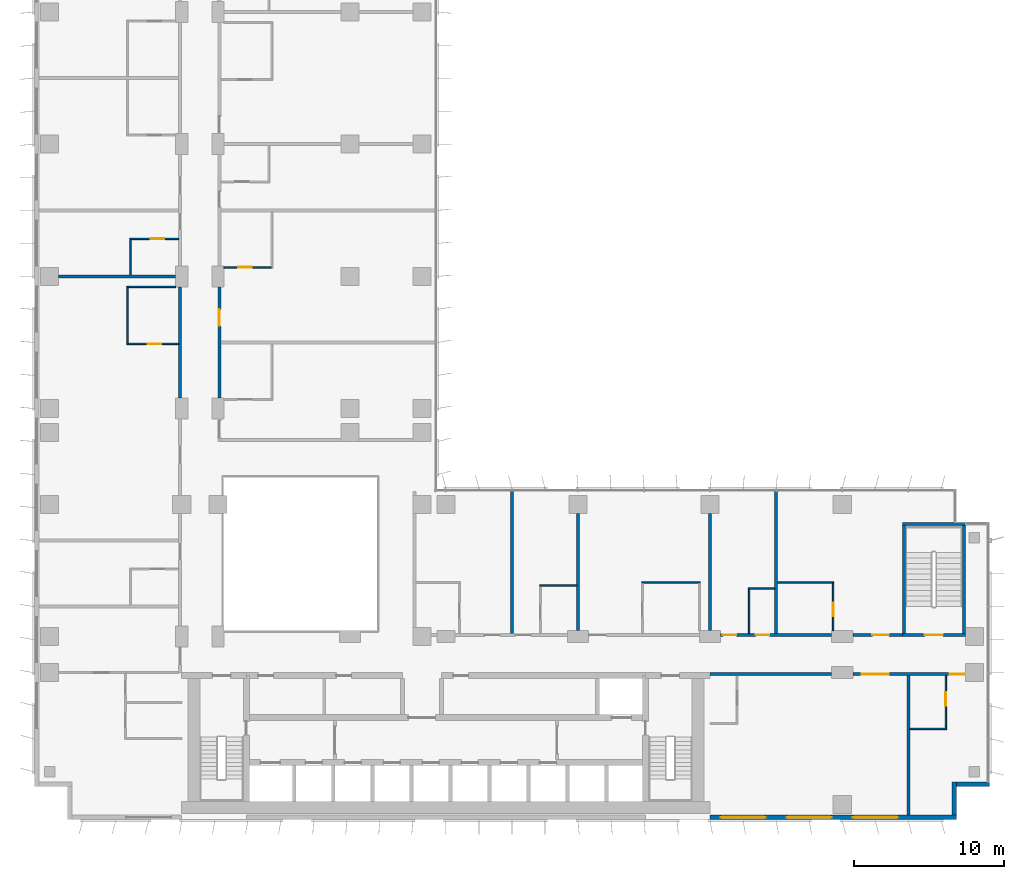
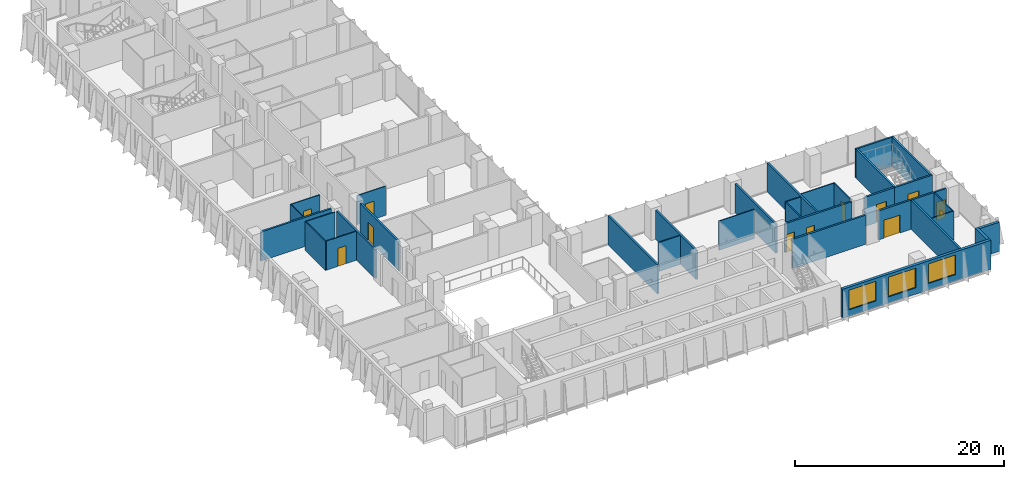
# One storey, part 14 of 22: 33 walls, 12 doors, 3 windows, 15 openings.
"""IFC4 building model written with IfcOpenShell, lengths in metres."""

from ifc_helpers import new_model, si_unit, direction, frame, frame_2d, origin, place, context, subcontext, project, spatial, rectangle, extrude, material, layer, layer_set, type_object, element, fill, save


model = new_model("IFC4")

# Units and contexts
model_context = context("Model", 3, precision=1e-05, world=origin(), true_north=direction((0.0, 1.0)))
body_context = subcontext(model_context, "Body", "Model", "MODEL_VIEW")
ifc_project = project(units=[si_unit("LENGTHUNIT", "METRE"), si_unit("AREAUNIT", "SQUARE_METRE"), si_unit("VOLUMEUNIT", "CUBIC_METRE"), si_unit("PLANEANGLEUNIT", "RADIAN"), si_unit("MASSUNIT", "GRAM", prefix="KILO")], contexts=[model_context])

# Site, building, storey
site_placement = place(None, origin())
site = spatial("IfcSite", under=ifc_project, at=site_placement, CompositionType="ELEMENT")
building_placement = place(site_placement, origin())
building = spatial("IfcBuilding", under=site, at=building_placement, Name="Kemantara Hotel Tower", CompositionType="ELEMENT")
storey_placement = place(building_placement, frame((0.0, 0.0, 90.800048828125)))
storey = spatial("IfcBuildingStorey", under=building, at=storey_placement, Name="L21", CompositionType="ELEMENT", Elevation=90.800048828125)

# Wall, openings, windows
ifc_material_1 = material(Name="Bronze anodised aluminium cladding on insulated steel stud wall", Category="steel")
ifc_layer_1 = layer(ifc_material_1, 0.300048828125)
ifc_layer_set_1 = layer_set([ifc_layer_1], Name="Bronze anodised aluminium cladding on insulated steel stud wall")
wall_type_1 = type_object("IfcWallType", Name="BRONZE METAL-CLAD EXTERNAL WALL 300", PredefinedType="STANDARD", material=ifc_layer_set_1)
wall_1_placement = place(storey_placement, frame((45.0, 0.14990234375, 0.0), z_axis=(0.0, 0.0, 1.0), x_axis=(1.0, 0.0, 0.0)))
wall_1 = element("IfcWall", 1, at=wall_1_placement, inside=storey, type_object=wall_type_1, Name="EXTERNAL WALL L21 T2-R07-3", PredefinedType="STANDARD", context=body_context, shape_type="SweptSolid", body=[
    extrude(rectangle(XDim=16.39990234375, YDim=0.300048828125, at=frame_2d((8.199951171875, 0.0))), origin(), (0.0, 0.0, 1.0), 3.39990234375),
])
opening_1_placement = place(wall_1_placement, frame((0.699951171875, 0.0, 0.75)))
opening_1 = element("IfcOpeningElement", 2, at=opening_1_placement, cuts=wall_1, Name="Opening W1", PredefinedType="OPENING", context=body_context, shape_type="SweptSolid", body=[
    extrude(rectangle(XDim=3.0, YDim=2.300048828125, at=frame_2d((1.5, 1.14990234375))), frame((0.0, 0.159912109375, 0.0), z_axis=(0.0, -1.0, 0.0), x_axis=(1.0, 0.0, 0.0)), (0.0, 0.0, 1.0), 0.320068359375),
])
opening_2_placement = place(wall_1_placement, frame((5.10009765625, 0.0, 0.75)))
opening_2 = element("IfcOpeningElement", 3, at=opening_2_placement, cuts=wall_1, Name="Opening W1", PredefinedType="OPENING", context=body_context, shape_type="SweptSolid", body=[
    extrude(rectangle(XDim=3.0, YDim=2.300048828125, at=frame_2d((1.5, 1.14990234375))), frame((0.0, 0.159912109375, 0.0), z_axis=(0.0, -1.0, 0.0), x_axis=(1.0, 0.0, 0.0)), (0.0, 0.0, 1.0), 0.320068359375),
])
opening_3_placement = place(wall_1_placement, frame((9.5, 0.0, 0.75)))
opening_3 = element("IfcOpeningElement", 4, at=opening_3_placement, cuts=wall_1, Name="Opening W1", PredefinedType="OPENING", context=body_context, shape_type="SweptSolid", body=[
    extrude(rectangle(XDim=3.0, YDim=2.300048828125, at=frame_2d((1.5, 1.14990234375))), frame((0.0, 0.159912109375, 0.0), z_axis=(0.0, -1.0, 0.0), x_axis=(1.0, 0.0, 0.0)), (0.0, 0.0, 1.0), 0.320068359375),
])
ifc_material_2 = material(Name="Low-E tinted double insulated glass in bronze anodised aluminium frame", Category="aluminium")
window_type = type_object("IfcWindowType", Name="CHICAGO WINDOW, TRIPLE PANEL 3000x2300", PartitioningType="TRIPLE_PANEL_VERTICAL", PredefinedType="WINDOW", material=ifc_material_2)
window_1_placement = place(opening_1_placement, origin())
window_1 = element("IfcWindow", 5, at=window_1_placement, inside=storey, type_object=window_type, Name="CHICAGO WINDOW L21 T2-R07-450", OverallHeight=2.300048828125, OverallWidth=3.0, PartitioningType="SINGLE_PANEL", PredefinedType="WINDOW", context=body_context, shape_type="SweptSolid", body=[
    extrude(rectangle(XDim=3.0, YDim=2.300048828125, at=frame_2d((1.5, 1.14990234375))), frame((0.0, 0.030029296875, 0.0), z_axis=(0.0, -1.0, 0.0), x_axis=(1.0, 0.0, 0.0)), (0.0, 0.0, 1.0), 0.06005859375),
])
fill(opening_1, window_1)
window_2_placement = place(opening_2_placement, origin())
window_2 = element("IfcWindow", 6, at=window_2_placement, inside=storey, type_object=window_type, Name="CHICAGO WINDOW L21 T2-R07-494", OverallHeight=2.300048828125, OverallWidth=3.0, PartitioningType="SINGLE_PANEL", PredefinedType="WINDOW", context=body_context, shape_type="SweptSolid", body=[
    extrude(rectangle(XDim=3.0, YDim=2.300048828125, at=frame_2d((1.5, 1.14990234375))), frame((0.0, 0.030029296875, 0.0), z_axis=(0.0, -1.0, 0.0), x_axis=(1.0, 0.0, 0.0)), (0.0, 0.0, 1.0), 0.06005859375),
])
fill(opening_2, window_2)
window_3_placement = place(opening_3_placement, origin())
window_3 = element("IfcWindow", 7, at=window_3_placement, inside=storey, type_object=window_type, Name="CHICAGO WINDOW L21 T2-R07-538", OverallHeight=2.300048828125, OverallWidth=3.0, PartitioningType="SINGLE_PANEL", PredefinedType="WINDOW", context=body_context, shape_type="SweptSolid", body=[
    extrude(rectangle(XDim=3.0, YDim=2.300048828125, at=frame_2d((1.5, 1.14990234375))), frame((0.0, 0.030029296875, 0.0), z_axis=(0.0, -1.0, 0.0), x_axis=(1.0, 0.0, 0.0)), (0.0, 0.0, 1.0), 0.06005859375),
])
fill(opening_3, window_3)

# Walls
wall_2_placement = place(storey_placement, frame((61.25, 0.300048828125, 0.0), z_axis=(0.0, 0.0, 1.0), x_axis=(0.0, 1.0, 0.0)))
element("IfcWall", 8, at=wall_2_placement, inside=storey, type_object=wall_type_1, Name="EXTERNAL WALL L21 T2-R08", PredefinedType="STANDARD", context=body_context, shape_type="SweptSolid", body=[
    extrude(rectangle(XDim=2.199951171875, YDim=0.300048828125, at=frame_2d((1.10009765625, 0.0))), origin(), (0.0, 0.0, 1.0), 3.39990234375),
])
wall_3_placement = place(storey_placement, frame((61.39990234375, 2.35009765625, 0.0), z_axis=(0.0, 0.0, 1.0), x_axis=(1.0, 0.0, 0.0)))
element("IfcWall", 9, at=wall_3_placement, inside=storey, type_object=wall_type_1, Name="EXTERNAL WALL L21 T2-R09", PredefinedType="STANDARD", context=body_context, shape_type="SweptSolid", body=[
    extrude(rectangle(XDim=2.2001953125, YDim=0.300048828125, at=frame_2d((1.10009765625, 0.0))), origin(), (0.0, 0.0, 1.0), 3.39990234375),
])
ifc_material_3 = material(Name="Gypsum board partition, steel studs and mineral wool, 200 mm", Category="steel")
ifc_layer_2 = layer(ifc_material_3, 0.199951171875)
ifc_layer_set_2 = layer_set([ifc_layer_2], Name="Gypsum board partition, steel studs and mineral wool, 200 mm")
wall_type_2 = type_object("IfcWallType", Name="CORRIDOR WALL 200", PredefinedType="PARTITIONING", material=ifc_layer_set_2)
wall_4_placement = place(storey_placement, frame((45.0, 9.699951171875, 0.0), z_axis=(0.0, 0.0, 1.0), x_axis=(1.0, 0.0, 0.0)))
element("IfcWall", 10, at=wall_4_placement, inside=storey, type_object=wall_type_2, Name="CORRIDOR WALL 200 001", PredefinedType="PARTITIONING", context=body_context, shape_type="SweptSolid", body=[
    extrude(rectangle(XDim=8.099853515625, YDim=0.199951171875, at=frame_2d((4.0498046875, 0.0))), origin(), (0.0, 0.0, 1.0), 3.39990234375),
])

# Wall, openings, doors
wall_5_placement = place(storey_placement, frame((62.0, 9.699951171875, 0.0), z_axis=(0.0, 0.0, 1.0), x_axis=(-1.0, 0.0, 0.0)))
wall_5 = element("IfcWall", 11, at=wall_5_placement, inside=storey, type_object=wall_type_2, Name="CORRIDOR WALL 200 002", PredefinedType="PARTITIONING", context=body_context, shape_type="SweptSolid", body=[
    extrude(rectangle(XDim=7.5, YDim=0.199951171875, at=frame_2d((3.75, 0.0))), origin(), (0.0, 0.0, 1.0), 3.39990234375),
])
opening_4_placement = place(wall_5_placement, frame((5.099853515625, 0.0, 0.0)))
opening_4 = element("IfcOpeningElement", 12, at=opening_4_placement, cuts=wall_5, Name="Opening F08-001", PredefinedType="OPENING", context=body_context, shape_type="SweptSolid", body=[
    extrude(rectangle(XDim=1.800048828125, YDim=2.10009765625, at=frame_2d((0.89990234375, 1.050048828125))), frame((0.0, 0.10986328125, 0.0), z_axis=(0.0, -1.0, 0.0), x_axis=(1.0, 0.0, 0.0)), (0.0, 0.0, 1.0), 0.219970703125),
])
opening_5_placement = place(wall_5_placement, frame((0.0498046875, 0.0, 0.0)))
opening_5 = element("IfcOpeningElement", 13, at=opening_5_placement, cuts=wall_5, Name="Opening F08-003", PredefinedType="OPENING", context=body_context, shape_type="SweptSolid", body=[
    extrude(rectangle(XDim=1.0, YDim=2.10009765625, at=frame_2d((0.5, 1.050048828125))), frame((0.0, 0.10986328125, 0.0), z_axis=(0.0, -1.0, 0.0), x_axis=(1.0, 0.0, 0.0)), (0.0, 0.0, 1.0), 0.219970703125),
])
ifc_material_4 = material(Name="Hardwood veneer door leaf with steel frame", Category="steel")
door_type_1 = type_object("IfcDoorType", Name="AMENITY ROOM DOOR 1800 X 2100 FD30S", OperationType="NOTDEFINED", PredefinedType="DOOR", material=ifc_material_4)
door_1_placement = place(opening_4_placement, origin())
door_1 = element("IfcDoor", 14, at=door_1_placement, inside=storey, type_object=door_type_1, Name="AMENITY ROOM DOOR F08-001", OperationType="DOUBLE_DOOR_SINGLE_SWING", OverallHeight=2.10009765625, OverallWidth=1.800048828125, PredefinedType="DOOR", context=body_context, shape_type="SweptSolid", body=[
    extrude(rectangle(XDim=1.800048828125, YDim=2.10009765625, at=frame_2d((0.89990234375, 1.050048828125))), frame((0.0, 0.02490234375, 0.0), z_axis=(0.0, -1.0, 0.0), x_axis=(1.0, 0.0, 0.0)), (0.0, 0.0, 1.0), 0.050048828125),
])
fill(opening_4, door_1)
door_type_2 = type_object("IfcDoorType", Name="GUEST ROOM DOOR 1000 X 2100 FD30S", OperationType="NOTDEFINED", PredefinedType="DOOR", material=ifc_material_4)
door_2_placement = place(opening_5_placement, origin())
door_2 = element("IfcDoor", 15, at=door_2_placement, inside=storey, type_object=door_type_2, Name="GUEST ROOM DOOR F08-003", OperationType="SINGLE_SWING_LEFT", OverallHeight=2.10009765625, OverallWidth=1.0, PredefinedType="DOOR", context=body_context, shape_type="SweptSolid", body=[
    extrude(rectangle(XDim=1.0, YDim=2.10009765625, at=frame_2d((0.5, 1.050048828125))), frame((0.0, 0.02490234375, 0.0), z_axis=(0.0, -1.0, 0.0), x_axis=(1.0, 0.0, 0.0)), (0.0, 0.0, 1.0), 0.050048828125),
])
fill(opening_5, door_2)

wall_6_placement = place(storey_placement, frame((45.7001953125, 12.300048828125, 0.0), z_axis=(0.0, 0.0, 1.0), x_axis=(1.0, 0.0, 0.0)))
wall_6 = element("IfcWall", 16, at=wall_6_placement, inside=storey, type_object=wall_type_2, Name="CORRIDOR WALL 200 007", PredefinedType="PARTITIONING", context=body_context, shape_type="SweptSolid", body=[
    extrude(rectangle(XDim=7.399658203125, YDim=0.199951171875, at=frame_2d((3.69970703125, 0.0))), origin(), (0.0, 0.0, 1.0), 3.39990234375),
])
opening_6_placement = place(wall_6_placement, frame((0.14990234375, 0.0, 0.0)))
opening_6 = element("IfcOpeningElement", 17, at=opening_6_placement, cuts=wall_6, Name="Opening F08-011", PredefinedType="OPENING", context=body_context, shape_type="SweptSolid", body=[
    extrude(rectangle(XDim=0.89990234375, YDim=2.10009765625, at=frame_2d((0.449951171875, 1.050048828125))), frame((0.0, 0.10986328125, 0.0), z_axis=(0.0, -1.0, 0.0), x_axis=(1.0, 0.0, 0.0)), (0.0, 0.0, 1.0), 0.219970703125),
])
opening_7_placement = place(wall_6_placement, frame((2.349853515625, 0.0, 0.0)))
opening_7 = element("IfcOpeningElement", 18, at=opening_7_placement, cuts=wall_6, Name="Opening F08-012", PredefinedType="OPENING", context=body_context, shape_type="SweptSolid", body=[
    extrude(rectangle(XDim=0.89990234375, YDim=2.10009765625, at=frame_2d((0.449951171875, 1.050048828125))), frame((0.0, 0.10986328125, 0.0), z_axis=(0.0, -1.0, 0.0), x_axis=(1.0, 0.0, 0.0)), (0.0, 0.0, 1.0), 0.219970703125),
])
ifc_material_5 = material(Name="Steel door leaf with steel frame", Category="steel")
door_type_3 = type_object("IfcDoorType", Name="SERVICE ROOM DOOR 900 X 2100 FD60", OperationType="NOTDEFINED", PredefinedType="DOOR", material=ifc_material_5)
door_3_placement = place(opening_6_placement, origin())
door_3 = element("IfcDoor", 19, at=door_3_placement, inside=storey, type_object=door_type_3, Name="SERVICE ROOM DOOR F08-011", OperationType="SINGLE_SWING_LEFT", OverallHeight=2.10009765625, OverallWidth=0.89990234375, PredefinedType="DOOR", context=body_context, shape_type="SweptSolid", body=[
    extrude(rectangle(XDim=0.89990234375, YDim=2.10009765625, at=frame_2d((0.449951171875, 1.050048828125))), frame((0.0, 0.02490234375, 0.0), z_axis=(0.0, -1.0, 0.0), x_axis=(1.0, 0.0, 0.0)), (0.0, 0.0, 1.0), 0.050048828125),
])
fill(opening_6, door_3)
door_4_placement = place(opening_7_placement, origin())
door_4 = element("IfcDoor", 20, at=door_4_placement, inside=storey, type_object=door_type_3, Name="SERVICE ROOM DOOR F08-012", OperationType="SINGLE_SWING_RIGHT", OverallHeight=2.10009765625, OverallWidth=0.89990234375, PredefinedType="DOOR", context=body_context, shape_type="SweptSolid", body=[
    extrude(rectangle(XDim=0.89990234375, YDim=2.10009765625, at=frame_2d((0.449951171875, 1.050048828125))), frame((0.0, 0.02490234375, 0.0), z_axis=(0.0, -1.0, 0.0), x_axis=(1.0, 0.0, 0.0)), (0.0, 0.0, 1.0), 0.050048828125),
])
fill(opening_7, door_4)

# Wall, opening, door
wall_7_placement = place(storey_placement, frame((54.5, 12.300048828125, 0.0), z_axis=(0.0, 0.0, 1.0), x_axis=(1.0, 0.0, 0.0)))
wall_7 = element("IfcWall", 21, at=wall_7_placement, inside=storey, type_object=wall_type_2, Name="CORRIDOR WALL 200 008", PredefinedType="PARTITIONING", context=body_context, shape_type="SweptSolid", body=[
    extrude(rectangle(XDim=3.300048828125, YDim=0.199951171875, at=frame_2d((1.64990234375, 0.0))), origin(), (0.0, 0.0, 1.0), 3.39990234375),
])
opening_8_placement = place(wall_7_placement, frame((1.2998046875, 0.0, 0.0)))
opening_8 = element("IfcOpeningElement", 22, at=opening_8_placement, cuts=wall_7, Name="Opening F08-013", PredefinedType="OPENING", context=body_context, shape_type="SweptSolid", body=[
    extrude(rectangle(XDim=1.10009765625, YDim=2.10009765625, at=frame_2d((0.550048828125, 1.050048828125))), frame((0.0, 0.10986328125, 0.0), z_axis=(0.0, -1.0, 0.0), x_axis=(1.0, 0.0, 0.0)), (0.0, 0.0, 1.0), 0.219970703125),
])
door_type_4 = type_object("IfcDoorType", Name="SUITE ENTRANCE DOOR 1100 X 2100 FD30S", OperationType="NOTDEFINED", PredefinedType="DOOR", material=ifc_material_4)
door_5_placement = place(opening_8_placement, origin())
door_5 = element("IfcDoor", 23, at=door_5_placement, inside=storey, type_object=door_type_4, Name="SUITE ENTRANCE DOOR F08-013", OperationType="SINGLE_SWING_RIGHT", OverallHeight=2.10009765625, OverallWidth=1.10009765625, PredefinedType="DOOR", context=body_context, shape_type="SweptSolid", body=[
    extrude(rectangle(XDim=1.10009765625, YDim=2.10009765625, at=frame_2d((0.550048828125, 1.050048828125))), frame((0.0, 0.02490234375, 0.0), z_axis=(0.0, -1.0, 0.0), x_axis=(1.0, 0.0, 0.0)), (0.0, 0.0, 1.0), 0.050048828125),
])
fill(opening_8, door_5)

# Wall
wall_8_placement = place(storey_placement, frame((9.699951171875, 28.10009765625, 0.0), z_axis=(0.0, 0.0, 1.0), x_axis=(0.0, 1.0, 0.0)))
element("IfcWall", 24, at=wall_8_placement, inside=storey, type_object=wall_type_2, Name="CORRIDOR WALL 200 018", PredefinedType="PARTITIONING", context=body_context, shape_type="SweptSolid", body=[
    extrude(rectangle(XDim=7.39990234375, YDim=0.199951171875, at=frame_2d((3.699951171875, 0.0))), origin(), (0.0, 0.0, 1.0), 3.39990234375),
])

# Wall, opening, door
wall_9_placement = place(storey_placement, frame((12.300048828125, 35.5, 0.0), z_axis=(0.0, 0.0, 1.0), x_axis=(0.0, -1.0, 0.0)))
wall_9 = element("IfcWall", 25, at=wall_9_placement, inside=storey, type_object=wall_type_2, Name="CORRIDOR WALL 200 031", PredefinedType="PARTITIONING", context=body_context, shape_type="SweptSolid", body=[
    extrude(rectangle(XDim=7.39990234375, YDim=0.199951171875, at=frame_2d((3.699951171875, 0.0))), origin(), (0.0, 0.0, 1.0), 3.39990234375),
])
opening_9_placement = place(wall_9_placement, frame((1.5, 0.0, 0.0)))
opening_9 = element("IfcOpeningElement", 26, at=opening_9_placement, cuts=wall_9, Name="Opening F08-035", PredefinedType="OPENING", context=body_context, shape_type="SweptSolid", body=[
    extrude(rectangle(XDim=1.10009765625, YDim=2.10009765625, at=frame_2d((0.550048828125, 1.050048828125))), frame((0.0, 0.10986328125, 0.0), z_axis=(0.0, -1.0, 0.0), x_axis=(1.0, 0.0, 0.0)), (0.0, 0.0, 1.0), 0.219970703125),
])
door_6_placement = place(opening_9_placement, origin())
door_6 = element("IfcDoor", 27, at=door_6_placement, inside=storey, type_object=door_type_4, Name="SUITE ENTRANCE DOOR F08-035", OperationType="SINGLE_SWING_RIGHT", OverallHeight=2.10009765625, OverallWidth=1.10009765625, PredefinedType="DOOR", context=body_context, shape_type="SweptSolid", body=[
    extrude(rectangle(XDim=1.10009765625, YDim=2.10009765625, at=frame_2d((0.550048828125, 1.050048828125))), frame((0.0, 0.02490234375, 0.0), z_axis=(0.0, -1.0, 0.0), x_axis=(1.0, 0.0, 0.0)), (0.0, 0.0, 1.0), 0.050048828125),
])
fill(opening_9, door_6)

ifc_material_6 = material(Name="Concrete fc 40 MPa", Category="concrete")
ifc_layer_3 = layer(ifc_material_6, 0.199951171875)
ifc_layer_set_3 = layer_set([ifc_layer_3], Name="Concrete fc 40 MPa")
wall_type_3 = type_object("IfcWallType", Name="Concrete stair wall 200 mm", PredefinedType="SHEAR", material=ifc_layer_set_3)
wall_10_placement = place(storey_placement, frame((57.800048828125, 12.300048828125, 0.0), z_axis=(0.0, 0.0, 1.0), x_axis=(1.0, 0.0, 0.0)))
wall_10 = element("IfcWall", 28, at=wall_10_placement, inside=storey, type_object=wall_type_3, Name="Stair ST3 enclosure wall with door", PredefinedType="SHEAR", context=body_context, shape_type="SweptSolid", body=[
    extrude(rectangle(XDim=4.199951171875, YDim=0.199951171875, at=frame_2d((2.10009765625, 0.0))), origin(), (0.0, 0.0, 1.0), 3.39990234375),
])
opening_10_placement = place(wall_10_placement, frame((1.5, 0.0, 0.0)))
opening_10 = element("IfcOpeningElement", 29, at=opening_10_placement, cuts=wall_10, Name="Opening ST3-C", PredefinedType="OPENING", context=body_context, shape_type="SweptSolid", body=[
    extrude(rectangle(XDim=1.199951171875, YDim=2.10009765625, at=frame_2d((0.60009765625, 1.050048828125))), frame((0.0, 0.10986328125, 0.0), z_axis=(0.0, -1.0, 0.0), x_axis=(1.0, 0.0, 0.0)), (0.0, 0.0, 1.0), 0.219970703125),
])
ifc_material_7 = material(Name="Steel fire door", Category="steel")
door_type_5 = type_object("IfcDoorType", Name="Fire door FD90 1200 x 2100", OperationType="NOTDEFINED", PredefinedType="DOOR", material=ifc_material_7)
door_7_placement = place(opening_10_placement, origin())
door_7 = element("IfcDoor", 30, at=door_7_placement, inside=storey, type_object=door_type_5, Name="Stair ST3 door", OperationType="SINGLE_SWING_RIGHT", OverallHeight=2.10009765625, OverallWidth=1.199951171875, PredefinedType="DOOR", context=body_context, shape_type="SweptSolid", body=[
    extrude(rectangle(XDim=1.199951171875, YDim=2.10009765625, at=frame_2d((0.60009765625, 1.050048828125))), frame((0.0, 0.02490234375, 0.0), z_axis=(0.0, -1.0, 0.0), x_axis=(1.0, 0.0, 0.0)), (0.0, 0.0, 1.0), 0.050048828125),
])
fill(opening_10, door_7)

# Walls
wall_11_placement = place(storey_placement, frame((57.800048828125, 19.699951171875, 0.0), z_axis=(0.0, 0.0, 1.0), x_axis=(1.0, 0.0, 0.0)))
element("IfcWall", 31, at=wall_11_placement, inside=storey, type_object=wall_type_3, Name="Stair ST3 enclosure wall N", PredefinedType="SHEAR", context=body_context, shape_type="SweptSolid", body=[
    extrude(rectangle(XDim=4.199951171875, YDim=0.199951171875, at=frame_2d((2.10009765625, 0.0))), origin(), (0.0, 0.0, 1.0), 3.39990234375),
])
for number, where, z_axis, x_axis, name in (
    (32, (57.89990234375, 12.39990234375, 0.0), (0.0, 0.0, 1.0), (0.0, 1.0, 0.0), "Stair ST3 enclosure wall W"),
    (33, (61.89990234375, 12.39990234375, 0.0), (0.0, 0.0, 1.0), (0.0, 1.0, 0.0), "Stair ST3 enclosure wall E"),
):
    element("IfcWall", number, at=place(storey_placement, frame(where, z_axis=z_axis, x_axis=x_axis)), inside=storey, type_object=wall_type_3, Name=name, PredefinedType="SHEAR", context=body_context, shape_type="SweptSolid", body=[
        extrude(rectangle(XDim=7.2001953125, YDim=0.199951171875, at=frame_2d((3.60009765625, 0.0))), origin(), (0.0, 0.0, 1.0), 3.39990234375),
    ])
ifc_layer_4 = layer(ifc_material_3, 0.199951171875)
ifc_layer_set_4 = layer_set([ifc_layer_4], Name="Gypsum board partition, steel studs and mineral wool, 200 mm")
wall_type_4 = type_object("IfcWallType", Name="GUEST ROOM PARTY WALL 200", PredefinedType="PARTITIONING", material=ifc_layer_set_4)
wall_12_placement = place(storey_placement, frame((58.199951171875, 0.31005859375, 0.0), z_axis=(0.0, 0.0, 1.0), x_axis=(0.0, 1.0, 0.0)))
element("IfcWall", 34, at=wall_12_placement, inside=storey, type_object=wall_type_4, Name="GUEST ROOM PARTY WALL 200 003", PredefinedType="PARTITIONING", context=body_context, shape_type="SweptSolid", body=[
    extrude(rectangle(XDim=9.2900390625, YDim=0.199951171875, at=frame_2d((4.64501953125, 0.0))), origin(), (0.0, 0.0, 1.0), 3.39990234375),
])
wall_13_placement = place(storey_placement, frame((31.800048828125, 12.39990234375, 0.0), z_axis=(0.0, 0.0, 1.0), x_axis=(0.0, 1.0, 0.0)))
element("IfcWall", 35, at=wall_13_placement, inside=storey, type_object=wall_type_4, Name="GUEST ROOM PARTY WALL 200 011", PredefinedType="PARTITIONING", context=body_context, shape_type="SweptSolid", body=[
    extrude(rectangle(XDim=9.47021484375, YDim=0.199951171875, at=frame_2d((4.735107421875, 0.0))), origin(), (0.0, 0.0, 1.0), 3.39990234375),
])
for number, where, z_axis, x_axis, name in (
    (36, (36.199951171875, 12.60009765625, 0.0), (0.0, 0.0, 1.0), (0.0, 1.0, 0.0), "GUEST ROOM PARTY WALL 200 012"),
    (37, (45.0, 12.60009765625, 0.0), (0.0, 0.0, 1.0), (0.0, 1.0, 0.0), "GUEST ROOM PARTY WALL 200 013"),
):
    element("IfcWall", number, at=place(storey_placement, frame(where, z_axis=z_axis, x_axis=x_axis)), inside=storey, type_object=wall_type_4, Name=name, PredefinedType="PARTITIONING", context=body_context, shape_type="SweptSolid", body=[
        extrude(rectangle(XDim=7.7998046875, YDim=0.199951171875, at=frame_2d((3.89990234375, 0.0))), origin(), (0.0, 0.0, 1.0), 3.39990234375),
    ])
wall_14_placement = place(storey_placement, frame((49.39990234375, 12.39990234375, 0.0), z_axis=(0.0, 0.0, 1.0), x_axis=(0.0, 1.0, 0.0)))
element("IfcWall", 38, at=wall_14_placement, inside=storey, type_object=wall_type_4, Name="GUEST ROOM PARTY WALL 200 014", PredefinedType="PARTITIONING", context=body_context, shape_type="SweptSolid", body=[
    extrude(rectangle(XDim=9.47021484375, YDim=0.199951171875, at=frame_2d((4.735107421875, 0.0))), origin(), (0.0, 0.0, 1.0), 3.39990234375),
])
wall_15_placement = place(storey_placement, frame((1.60009765625, 36.199951171875, 0.0), z_axis=(0.0, 0.0, 1.0), x_axis=(1.0, 0.0, 0.0)))
element("IfcWall", 39, at=wall_15_placement, inside=storey, type_object=wall_type_4, Name="GUEST ROOM PARTY WALL 200 026", PredefinedType="PARTITIONING", context=body_context, shape_type="SweptSolid", body=[
    extrude(rectangle(XDim=7.7998046875, YDim=0.199951171875, at=frame_2d((3.89990234375, 0.0))), origin(), (0.0, 0.0, 1.0), 3.39990234375),
])
ifc_material_8 = material(Name="Gypsum board partition on steel studs, 100 mm", Category="steel")
ifc_layer_5 = layer(ifc_material_8, 0.10009765625)
ifc_layer_set_5 = layer_set([ifc_layer_5], Name="Gypsum board partition on steel studs, 100 mm")
wall_type_5 = type_object("IfcWallType", Name="ROOM PARTITION 100", PredefinedType="PARTITIONING", material=ifc_layer_set_5)
wall_16_placement = place(storey_placement, frame((58.300048828125, 6.050048828125, 0.0), z_axis=(0.0, 0.0, 1.0), x_axis=(1.0, 0.0, 0.0)))
element("IfcWall", 40, at=wall_16_placement, inside=storey, type_object=wall_type_5, Name="ROOM PARTITION 100 052", PredefinedType="PARTITIONING", context=body_context, shape_type="SweptSolid", body=[
    extrude(rectangle(XDim=2.449951171875, YDim=0.10009765625, at=frame_2d((1.22509765625, 0.0))), origin(), (0.0, 0.0, 1.0), 3.39990234375),
])

# Wall, opening, door
wall_17_placement = place(storey_placement, frame((60.699951171875, 6.10009765625, 0.0), z_axis=(0.0, 0.0, 1.0), x_axis=(0.0, 1.0, 0.0)))
wall_17 = element("IfcWall", 41, at=wall_17_placement, inside=storey, type_object=wall_type_5, Name="ROOM PARTITION 100 053", PredefinedType="PARTITIONING", context=body_context, shape_type="SweptSolid", body=[
    extrude(rectangle(XDim=3.5, YDim=0.10009765625, at=frame_2d((1.75, 0.0))), origin(), (0.0, 0.0, 1.0), 3.39990234375),
])
opening_11_placement = place(wall_17_placement, frame((1.5, 0.0, 0.0)))
opening_11 = element("IfcOpeningElement", 42, at=opening_11_placement, cuts=wall_17, Name="Opening F08-004", PredefinedType="OPENING", context=body_context, shape_type="SweptSolid", body=[
    extrude(rectangle(XDim=0.89990234375, YDim=2.10009765625, at=frame_2d((0.449951171875, 1.050048828125))), frame((0.0, 0.06005859375, 0.0), z_axis=(0.0, -1.0, 0.0), x_axis=(1.0, 0.0, 0.0)), (0.0, 0.0, 1.0), 0.1201171875),
])
door_type_6 = type_object("IfcDoorType", Name="BATHROOM DOOR 900 X 2100", OperationType="NOTDEFINED", PredefinedType="DOOR", material=ifc_material_4)
door_8_placement = place(opening_11_placement, origin())
door_8 = element("IfcDoor", 43, at=door_8_placement, inside=storey, type_object=door_type_6, Name="BATHROOM DOOR F08-004", OperationType="SINGLE_SWING_RIGHT", OverallHeight=2.10009765625, OverallWidth=0.89990234375, PredefinedType="DOOR", context=body_context, shape_type="SweptSolid", body=[
    extrude(rectangle(XDim=0.89990234375, YDim=2.10009765625, at=frame_2d((0.449951171875, 1.050048828125))), frame((0.0, 0.02490234375, 0.0), z_axis=(0.0, -1.0, 0.0), x_axis=(1.0, 0.0, 0.0)), (0.0, 0.0, 1.0), 0.050048828125),
])
fill(opening_11, door_8)

# Walls
wall_18_placement = place(storey_placement, frame((40.449951171875, 15.800048828125, 0.0), z_axis=(0.0, 0.0, 1.0), x_axis=(1.0, 0.0, 0.0)))
element("IfcWall", 44, at=wall_18_placement, inside=storey, type_object=wall_type_5, Name="ROOM PARTITION 100 055", PredefinedType="PARTITIONING", context=body_context, shape_type="SweptSolid", body=[
    extrude(rectangle(XDim=3.900146484375, YDim=0.10009765625, at=frame_2d((1.9501953125, 0.0))), origin(), (0.0, 0.0, 1.0), 3.39990234375),
])
wall_19_placement = place(storey_placement, frame((49.5, 15.800048828125, 0.0), z_axis=(0.0, 0.0, 1.0), x_axis=(1.0, 0.0, 0.0)))
element("IfcWall", 45, at=wall_19_placement, inside=storey, type_object=wall_type_5, Name="ROOM PARTITION 100 056", PredefinedType="PARTITIONING", context=body_context, shape_type="SweptSolid", body=[
    extrude(rectangle(XDim=3.75, YDim=0.10009765625, at=frame_2d((1.875, 0.0))), origin(), (0.0, 0.0, 1.0), 3.39990234375),
])
wall_20_placement = place(storey_placement, frame((33.64990234375, 15.60009765625, 0.0), z_axis=(0.0, 0.0, 1.0), x_axis=(1.0, 0.0, 0.0)))
element("IfcWall", 46, at=wall_20_placement, inside=storey, type_object=wall_type_5, Name="ROOM PARTITION 100 058", PredefinedType="PARTITIONING", context=body_context, shape_type="SweptSolid", body=[
    extrude(rectangle(XDim=2.4501953125, YDim=0.10009765625, at=frame_2d((1.22509765625, 0.0))), origin(), (0.0, 0.0, 1.0), 3.39990234375),
])
wall_21_placement = place(storey_placement, frame((47.550048828125, 15.39990234375, 0.0), z_axis=(0.0, 0.0, 1.0), x_axis=(1.0, 0.0, 0.0)))
element("IfcWall", 47, at=wall_21_placement, inside=storey, type_object=wall_type_5, Name="ROOM PARTITION 100 062", PredefinedType="PARTITIONING", context=body_context, shape_type="SweptSolid", body=[
    extrude(rectangle(XDim=1.75, YDim=0.10009765625, at=frame_2d((0.875, 0.0))), origin(), (0.0, 0.0, 1.0), 3.39990234375),
])
wall_22_placement = place(storey_placement, frame((47.60009765625, 12.39990234375, 0.0), z_axis=(0.0, 0.0, 1.0), x_axis=(0.0, 1.0, 0.0)))
element("IfcWall", 48, at=wall_22_placement, inside=storey, type_object=wall_type_5, Name="ROOM PARTITION 100 063", PredefinedType="PARTITIONING", context=body_context, shape_type="SweptSolid", body=[
    extrude(rectangle(XDim=2.9501953125, YDim=0.10009765625, at=frame_2d((1.47509765625, 0.0))), origin(), (0.0, 0.0, 1.0), 3.39990234375),
])

# Wall, opening, door
wall_23_placement = place(storey_placement, frame((53.199951171875, 12.60009765625, 0.0), z_axis=(0.0, 0.0, 1.0), x_axis=(0.0, 1.0, 0.0)))
wall_23 = element("IfcWall", 49, at=wall_23_placement, inside=storey, type_object=wall_type_5, Name="ROOM PARTITION 100 064", PredefinedType="PARTITIONING", context=body_context, shape_type="SweptSolid", body=[
    extrude(rectangle(XDim=3.14990234375, YDim=0.10009765625, at=frame_2d((1.574951171875, 0.0))), origin(), (0.0, 0.0, 1.0), 3.39990234375),
])
opening_12_placement = place(wall_23_placement, frame((0.949951171875, 0.0, 0.0)))
opening_12 = element("IfcOpeningElement", 50, at=opening_12_placement, cuts=wall_23, Name="Opening F08-014", PredefinedType="OPENING", context=body_context, shape_type="SweptSolid", body=[
    extrude(rectangle(XDim=0.89990234375, YDim=2.10009765625, at=frame_2d((0.449951171875, 1.050048828125))), frame((0.0, 0.06005859375, 0.0), z_axis=(0.0, -1.0, 0.0), x_axis=(1.0, 0.0, 0.0)), (0.0, 0.0, 1.0), 0.1201171875),
])
door_9_placement = place(opening_12_placement, origin())
door_9 = element("IfcDoor", 51, at=door_9_placement, inside=storey, type_object=door_type_6, Name="BATHROOM DOOR F08-014", OperationType="SINGLE_SWING_LEFT", OverallHeight=2.10009765625, OverallWidth=0.89990234375, PredefinedType="DOOR", context=body_context, shape_type="SweptSolid", body=[
    extrude(rectangle(XDim=0.89990234375, YDim=2.10009765625, at=frame_2d((0.449951171875, 1.050048828125))), frame((0.0, 0.02490234375, 0.0), z_axis=(0.0, -1.0, 0.0), x_axis=(1.0, 0.0, 0.0)), (0.0, 0.0, 1.0), 0.050048828125),
])
fill(opening_12, door_9)

# Walls
wall_24_placement = place(storey_placement, frame((6.39990234375, 36.300048828125, 0.0), z_axis=(0.0, 0.0, 1.0), x_axis=(0.0, 1.0, 0.0)))
element("IfcWall", 52, at=wall_24_placement, inside=storey, type_object=wall_type_5, Name="ROOM PARTITION 100 071", PredefinedType="PARTITIONING", context=body_context, shape_type="SweptSolid", body=[
    extrude(rectangle(XDim=2.449951171875, YDim=0.10009765625, at=frame_2d((1.22509765625, 0.0))), origin(), (0.0, 0.0, 1.0), 3.39990234375),
])
wall_25_placement = place(storey_placement, frame((6.199951171875, 31.64990234375, 0.0), z_axis=(0.0, 0.0, 1.0), x_axis=(0.0, 1.0, 0.0)))
element("IfcWall", 53, at=wall_25_placement, inside=storey, type_object=wall_type_5, Name="ROOM PARTITION 100 073", PredefinedType="PARTITIONING", context=body_context, shape_type="SweptSolid", body=[
    extrude(rectangle(XDim=3.900146484375, YDim=0.10009765625, at=frame_2d((1.9501953125, 0.0))), origin(), (0.0, 0.0, 1.0), 3.39990234375),
])

# Wall, opening, door
wall_26_placement = place(storey_placement, frame((6.25, 31.699951171875, 0.0), z_axis=(0.0, 0.0, 1.0), x_axis=(1.0, 0.0, 0.0)))
wall_26 = element("IfcWall", 54, at=wall_26_placement, inside=storey, type_object=wall_type_5, Name="ROOM PARTITION 100 077", PredefinedType="PARTITIONING", context=body_context, shape_type="SweptSolid", body=[
    extrude(rectangle(XDim=3.35009765625, YDim=0.10009765625, at=frame_2d((1.675048828125, 0.0))), origin(), (0.0, 0.0, 1.0), 3.39990234375),
])
opening_13_placement = place(wall_26_placement, frame((1.300048828125, 0.0, 0.0)))
opening_13 = element("IfcOpeningElement", 55, at=opening_13_placement, cuts=wall_26, Name="Opening F08-022", PredefinedType="OPENING", context=body_context, shape_type="SweptSolid", body=[
    extrude(rectangle(XDim=0.89990234375, YDim=2.10009765625, at=frame_2d((0.449951171875, 1.050048828125))), frame((0.0, 0.06005859375, 0.0), z_axis=(0.0, -1.0, 0.0), x_axis=(1.0, 0.0, 0.0)), (0.0, 0.0, 1.0), 0.1201171875),
])
door_10_placement = place(opening_13_placement, origin())
door_10 = element("IfcDoor", 56, at=door_10_placement, inside=storey, type_object=door_type_6, Name="BATHROOM DOOR F08-022", OperationType="SINGLE_SWING_RIGHT", OverallHeight=2.10009765625, OverallWidth=0.89990234375, PredefinedType="DOOR", context=body_context, shape_type="SweptSolid", body=[
    extrude(rectangle(XDim=0.89990234375, YDim=2.10009765625, at=frame_2d((0.449951171875, 1.050048828125))), frame((0.0, 0.02490234375, 0.0), z_axis=(0.0, -1.0, 0.0), x_axis=(1.0, 0.0, 0.0)), (0.0, 0.0, 1.0), 0.050048828125),
])
fill(opening_13, door_10)

# Wall
wall_27_placement = place(storey_placement, frame((6.25, 35.5, 0.0), z_axis=(0.0, 0.0, 1.0), x_axis=(1.0, 0.0, 0.0)))
element("IfcWall", 57, at=wall_27_placement, inside=storey, type_object=wall_type_5, Name="ROOM PARTITION 100 078", PredefinedType="PARTITIONING", context=body_context, shape_type="SweptSolid", body=[
    extrude(rectangle(XDim=3.14990234375, YDim=0.10009765625, at=frame_2d((1.574951171875, 0.0))), origin(), (0.0, 0.0, 1.0), 3.39990234375),
])

# Wall, opening, door
wall_28_placement = place(storey_placement, frame((9.60009765625, 38.699951171875, 0.0), z_axis=(0.0, 0.0, 1.0), x_axis=(-1.0, 0.0, 0.0)))
wall_28 = element("IfcWall", 58, at=wall_28_placement, inside=storey, type_object=wall_type_5, Name="ROOM PARTITION 100 079", PredefinedType="PARTITIONING", context=body_context, shape_type="SweptSolid", body=[
    extrude(rectangle(XDim=3.150146484375, YDim=0.10009765625, at=frame_2d((1.5751953125, 0.0))), origin(), (0.0, 0.0, 1.0), 3.39990234375),
])
opening_14_placement = place(wall_28_placement, frame((0.949951171875, 0.0, 0.0)))
opening_14 = element("IfcOpeningElement", 59, at=opening_14_placement, cuts=wall_28, Name="Opening F08-024", PredefinedType="OPENING", context=body_context, shape_type="SweptSolid", body=[
    extrude(rectangle(XDim=0.89990234375, YDim=2.10009765625, at=frame_2d((0.449951171875, 1.050048828125))), frame((0.0, 0.06005859375, 0.0), z_axis=(0.0, -1.0, 0.0), x_axis=(1.0, 0.0, 0.0)), (0.0, 0.0, 1.0), 0.1201171875),
])
door_11_placement = place(opening_14_placement, origin())
door_11 = element("IfcDoor", 60, at=door_11_placement, inside=storey, type_object=door_type_6, Name="BATHROOM DOOR F08-024", OperationType="SINGLE_SWING_LEFT", OverallHeight=2.10009765625, OverallWidth=0.89990234375, PredefinedType="DOOR", context=body_context, shape_type="SweptSolid", body=[
    extrude(rectangle(XDim=0.89990234375, YDim=2.10009765625, at=frame_2d((0.449951171875, 1.050048828125))), frame((0.0, 0.02490234375, 0.0), z_axis=(0.0, -1.0, 0.0), x_axis=(1.0, 0.0, 0.0)), (0.0, 0.0, 1.0), 0.050048828125),
])
fill(opening_14, door_11)

wall_29_placement = place(storey_placement, frame((12.60009765625, 36.800048828125, 0.0), z_axis=(0.0, 0.0, 1.0), x_axis=(1.0, 0.0, 0.0)))
wall_29 = element("IfcWall", 61, at=wall_29_placement, inside=storey, type_object=wall_type_5, Name="ROOM PARTITION 100 089", PredefinedType="PARTITIONING", context=body_context, shape_type="SweptSolid", body=[
    extrude(rectangle(XDim=3.14990234375, YDim=0.10009765625, at=frame_2d((1.574951171875, 0.0))), origin(), (0.0, 0.0, 1.0), 3.39990234375),
])
opening_15_placement = place(wall_29_placement, frame((0.949951171875, 0.0, 0.0)))
opening_15 = element("IfcOpeningElement", 62, at=opening_15_placement, cuts=wall_29, Name="Opening F08-036", PredefinedType="OPENING", context=body_context, shape_type="SweptSolid", body=[
    extrude(rectangle(XDim=0.89990234375, YDim=2.10009765625, at=frame_2d((0.449951171875, 1.050048828125))), frame((0.0, 0.06005859375, 0.0), z_axis=(0.0, -1.0, 0.0), x_axis=(1.0, 0.0, 0.0)), (0.0, 0.0, 1.0), 0.1201171875),
])
door_12_placement = place(opening_15_placement, origin())
door_12 = element("IfcDoor", 63, at=door_12_placement, inside=storey, type_object=door_type_6, Name="BATHROOM DOOR F08-036", OperationType="SINGLE_SWING_LEFT", OverallHeight=2.10009765625, OverallWidth=0.89990234375, PredefinedType="DOOR", context=body_context, shape_type="SweptSolid", body=[
    extrude(rectangle(XDim=0.89990234375, YDim=2.10009765625, at=frame_2d((0.449951171875, 1.050048828125))), frame((0.0, 0.02490234375, 0.0), z_axis=(0.0, -1.0, 0.0), x_axis=(1.0, 0.0, 0.0)), (0.0, 0.0, 1.0), 0.050048828125),
])
fill(opening_15, door_12)

save(model, "model.ifc")
